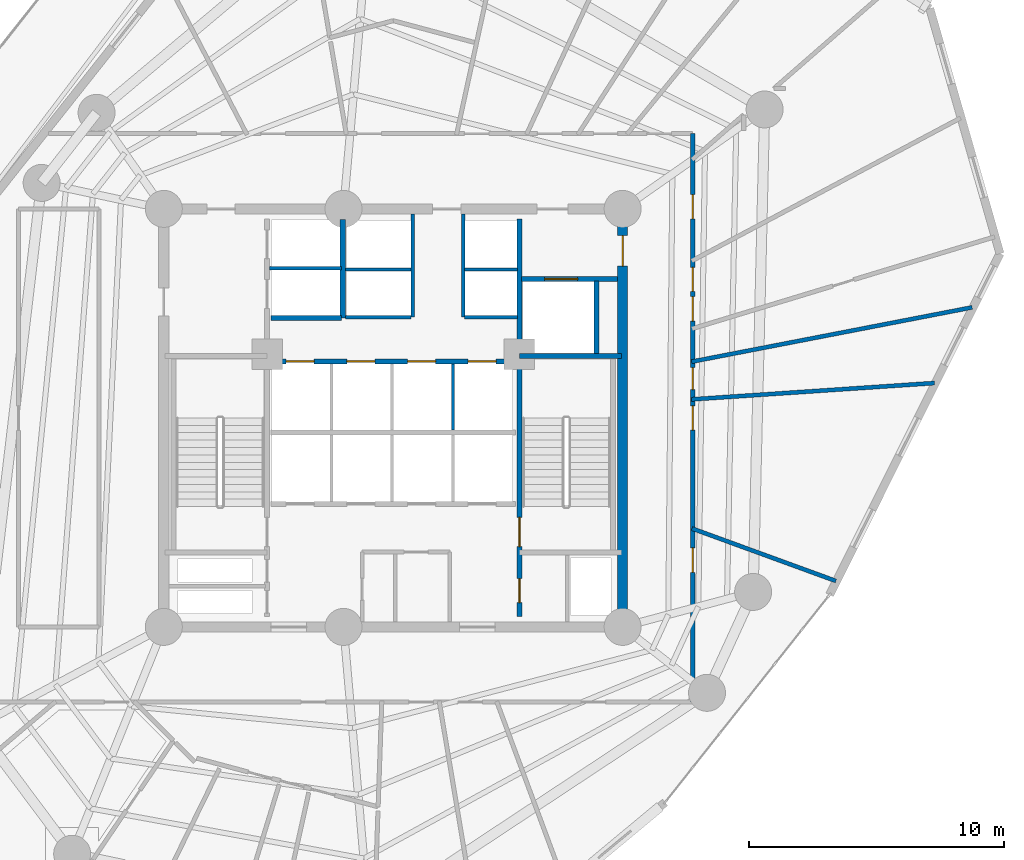
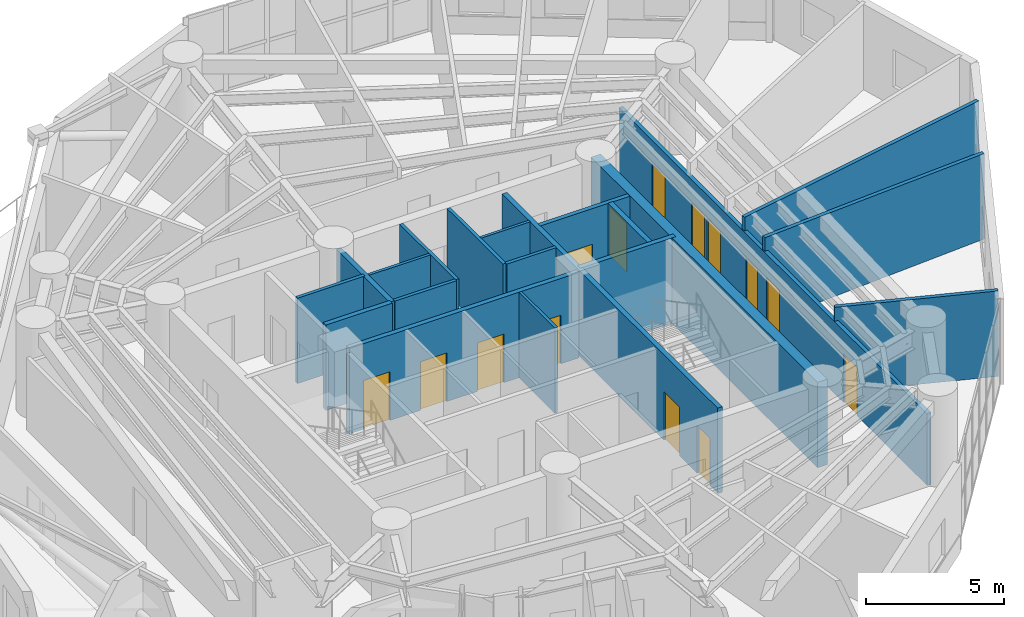
# One storey, part 9 of 14: 20 walls, 14 doors, 14 openings.
"""IFC4 building model written with IfcOpenShell, lengths in metres."""

from ifc_helpers import new_model, si_unit, direction, frame, frame_2d, origin, origin_with_axes, place, context, subcontext, project, spatial, rectangle, extrude, source, transform, mapped, material, layer, layer_set, type_object, element, fill, save


model = new_model("IFC4")

# Units and contexts
model_context = context("Model", 3, precision=1e-05, world=origin(), true_north=direction((0.0, 1.0)))
body_context = subcontext(model_context, "Body", "Model", "MODEL_VIEW")
ifc_project = project(units=[si_unit("LENGTHUNIT", "METRE"), si_unit("AREAUNIT", "SQUARE_METRE"), si_unit("VOLUMEUNIT", "CUBIC_METRE"), si_unit("PLANEANGLEUNIT", "RADIAN"), si_unit("MASSUNIT", "GRAM", prefix="KILO")], contexts=[model_context])

# Site, building, storey
site_placement = place(None, origin())
site = spatial("IfcSite", under=ifc_project, at=site_placement, CompositionType="ELEMENT")
building_placement = place(site_placement, origin())
building = spatial("IfcBuilding", under=site, at=building_placement, Name="Karkom Vertical University and Central Library", CompositionType="ELEMENT")
storey_placement = place(building_placement, frame((0.0, 0.0, 92.199951171875)))
storey = spatial("IfcBuildingStorey", under=building, at=storey_placement, Name="L24", CompositionType="ELEMENT", Elevation=92.199951171875)

# Wall, openings, doors
ifc_material_1 = material(Name="Insulated metal-stud drywall 160mm", Category="gypsum")
ifc_layer_1 = layer(ifc_material_1, 0.159912109375)
ifc_layer_set_1 = layer_set([ifc_layer_1], Name="Insulated metal-stud drywall 160mm")
wall_type_1 = type_object("IfcWallType", Name="INT-WL-COR-160", PredefinedType="PARTITIONING", material=ifc_layer_set_1)
wall_1_placement = place(storey_placement, frame((40.25, 37.64990234375, 0.0), z_axis=(0.0, 0.0, 1.0), x_axis=(0.0, -1.0, 0.0)))
wall_1 = element("IfcWall", 1, at=wall_1_placement, inside=storey, type_object=wall_type_1, Name="Level 24 Interior Partition Wall L24-CORW-CW-004", PredefinedType="PARTITIONING", context=body_context, shape_type="SweptSolid", body=[
    extrude(rectangle(XDim=22.2998046875, YDim=0.159912109375, at=frame_2d((11.14990234375, 0.0))), origin(), (0.0, 0.0, 1.0), 3.175048828125),
])
opening_1_placement = place(wall_1_placement, frame((16.25, 0.0, 0.0)))
opening_1 = element("IfcOpeningElement", 2, at=opening_1_placement, cuts=wall_1, Name="Opening FD-RM2", PredefinedType="OPENING", context=body_context, shape_type="SweptSolid", body=[
    extrude(rectangle(XDim=0.9599609375, YDim=2.14990234375, at=frame_2d((0.47998046875, 1.074951171875))), frame((0.0, 0.08984375, 0.0), z_axis=(0.0, -1.0, 0.0), x_axis=(1.0, 0.0, 0.0)), (0.0, 0.0, 1.0), 0.179931640625),
])
opening_2_placement = place(wall_1_placement, frame((10.675048828125, 0.0, 0.0)))
opening_2 = element("IfcOpeningElement", 3, at=opening_2_placement, cuts=wall_1, Name="Opening D-RM1", PredefinedType="OPENING", context=body_context, shape_type="SweptSolid", body=[
    extrude(rectangle(XDim=0.949951171875, YDim=2.14990234375, at=frame_2d((0.47509765625, 1.074951171875))), frame((0.0, 0.08984375, 0.0), z_axis=(0.0, -1.0, 0.0), x_axis=(1.0, 0.0, 0.0)), (0.0, 0.0, 1.0), 0.179931640625),
])
opening_3_placement = place(wall_1_placement, frame((9.177978515625, 0.0, 0.0)))
opening_3 = element("IfcOpeningElement", 4, at=opening_3_placement, cuts=wall_1, Name="Opening FD-BTH1", PredefinedType="OPENING", context=body_context, shape_type="SweptSolid", body=[
    extrude(rectangle(XDim=0.860107421875, YDim=2.10009765625, at=frame_2d((0.43017578125, 1.050048828125))), frame((0.0, 0.08984375, 0.0), z_axis=(0.0, -1.0, 0.0), x_axis=(1.0, 0.0, 0.0)), (0.0, 0.0, 1.0), 0.179931640625),
])
opening_4_placement = place(wall_1_placement, frame((6.389892578125, 0.0, 0.0)))
opening_4 = element("IfcOpeningElement", 5, at=opening_4_placement, cuts=wall_1, Name="Opening FD-RM2", PredefinedType="OPENING", context=body_context, shape_type="SweptSolid", body=[
    extrude(rectangle(XDim=0.9599609375, YDim=2.14990234375, at=frame_2d((0.47998046875, 1.074951171875))), frame((0.0, 0.08984375, 0.0), z_axis=(0.0, -1.0, 0.0), x_axis=(1.0, 0.0, 0.0)), (0.0, 0.0, 1.0), 0.179931640625),
])
opening_5_placement = place(wall_1_placement, frame((5.239990234375, 0.0, 0.0)))
opening_5 = element("IfcOpeningElement", 6, at=opening_5_placement, cuts=wall_1, Name="Opening D-RM1", PredefinedType="OPENING", context=body_context, shape_type="SweptSolid", body=[
    extrude(rectangle(XDim=0.949951171875, YDim=2.14990234375, at=frame_2d((0.47509765625, 1.074951171875))), frame((0.0, 0.08984375, 0.0), z_axis=(0.0, -1.0, 0.0), x_axis=(1.0, 0.0, 0.0)), (0.0, 0.0, 1.0), 0.179931640625),
])
opening_6_placement = place(wall_1_placement, frame((2.385986328125, 0.0, 0.0)))
opening_6 = element("IfcOpeningElement", 7, at=opening_6_placement, cuts=wall_1, Name="Opening FD-RM2", PredefinedType="OPENING", context=body_context, shape_type="SweptSolid", body=[
    extrude(rectangle(XDim=0.9599609375, YDim=2.14990234375, at=frame_2d((0.47998046875, 1.074951171875))), frame((0.0, 0.08984375, 0.0), z_axis=(0.0, -1.0, 0.0), x_axis=(1.0, 0.0, 0.0)), (0.0, 0.0, 1.0), 0.179931640625),
])
ifc_material_2 = material(Name="Fire-rated oak veneer door", Category="wood")
door_type_1 = type_object("IfcDoorType", Name="INT-DR-FRM2", OperationType="NOTDEFINED", PredefinedType="DOOR", material=ifc_material_2)
shared_shape_1 = source(origin_with_axes(), body_context, "Body", "SweptSolid", [
    extrude(rectangle(XDim=0.9599609375, YDim=2.14990234375, at=frame_2d((0.47998046875, 1.074951171875))), frame((0.0, 0.02490234375, 0.0), z_axis=(0.0, -1.0, 0.0), x_axis=(1.0, 0.0, 0.0)), (0.0, 0.0, 1.0), 0.050048828125),
])
door_1_placement = place(opening_1_placement, origin())
door_1 = element("IfcDoor", 8, at=door_1_placement, inside=storey, type_object=door_type_1, Name="Level 24 Room Entry Door 110", OperationType="SINGLE_SWING_RIGHT", OverallHeight=2.14990234375, OverallWidth=0.9599609375, PredefinedType="DOOR", context=body_context, shape_type="MappedRepresentation", body=[
    mapped(shared_shape_1, transform((0.0, 0.0, 0.0), scale=1.0)),
])
fill(opening_1, door_1)
door_2_placement = place(opening_4_placement, origin())
door_2 = element("IfcDoor", 9, at=door_2_placement, inside=storey, type_object=door_type_1, Name="Level 24 Room Entry Door 140", OperationType="SINGLE_SWING_LEFT", OverallHeight=2.14990234375, OverallWidth=0.9599609375, PredefinedType="DOOR", context=body_context, shape_type="MappedRepresentation", body=[
    mapped(shared_shape_1, transform((0.0, 0.0, 0.0), scale=1.0)),
])
fill(opening_4, door_2)
door_3_placement = place(opening_6_placement, origin())
door_3 = element("IfcDoor", 10, at=door_3_placement, inside=storey, type_object=door_type_1, Name="Level 24 Room Entry Door 160", OperationType="SINGLE_SWING_LEFT", OverallHeight=2.14990234375, OverallWidth=0.9599609375, PredefinedType="DOOR", context=body_context, shape_type="MappedRepresentation", body=[
    mapped(shared_shape_1, transform((0.0, 0.0, 0.0), scale=1.0)),
])
fill(opening_6, door_3)
ifc_material_3 = material(Name="Fire-rated moisture-resistant oak door", Category="wood")
door_type_2 = type_object("IfcDoorType", Name="INT-DR-FBTH1", OperationType="NOTDEFINED", PredefinedType="DOOR", material=ifc_material_3)
shared_shape_2 = source(origin_with_axes(), body_context, "Body", "SweptSolid", [
    extrude(rectangle(XDim=0.860107421875, YDim=2.10009765625, at=frame_2d((0.43017578125, 1.050048828125))), frame((0.0, 0.02490234375, 0.0), z_axis=(0.0, -1.0, 0.0), x_axis=(1.0, 0.0, 0.0)), (0.0, 0.0, 1.0), 0.050048828125),
])
door_4_placement = place(opening_3_placement, origin())
door_4 = element("IfcDoor", 11, at=door_4_placement, inside=storey, type_object=door_type_2, Name="Level 24 Room Entry Door 130", OperationType="SINGLE_SWING_RIGHT", OverallHeight=2.10009765625, OverallWidth=0.860107421875, PredefinedType="DOOR", context=body_context, shape_type="MappedRepresentation", body=[
    mapped(shared_shape_2, transform((0.0, 0.0, 0.0), scale=1.0)),
])
fill(opening_3, door_4)
ifc_material_4 = material(Name="Solid-core oak veneer door", Category="wood")
door_type_3 = type_object("IfcDoorType", Name="INT-DR-RM1", OperationType="NOTDEFINED", PredefinedType="DOOR", material=ifc_material_4)
shared_shape_3 = source(origin_with_axes(), body_context, "Body", "SweptSolid", [
    extrude(rectangle(XDim=0.949951171875, YDim=2.14990234375, at=frame_2d((0.47509765625, 1.074951171875))), frame((0.0, 0.02490234375, 0.0), z_axis=(0.0, -1.0, 0.0), x_axis=(1.0, 0.0, 0.0)), (0.0, 0.0, 1.0), 0.050048828125),
])
door_5_placement = place(opening_2_placement, origin())
door_5 = element("IfcDoor", 12, at=door_5_placement, inside=storey, type_object=door_type_3, Name="Level 24 Room Entry Door 120", OperationType="SINGLE_SWING_LEFT", OverallHeight=2.14990234375, OverallWidth=0.949951171875, PredefinedType="DOOR", context=body_context, shape_type="MappedRepresentation", body=[
    mapped(shared_shape_3, transform((0.0, 0.0, 0.0), scale=1.0)),
])
fill(opening_2, door_5)
door_6_placement = place(opening_5_placement, origin())
door_6 = element("IfcDoor", 13, at=door_6_placement, inside=storey, type_object=door_type_3, Name="Level 24 Room Entry Door 150", OperationType="SINGLE_SWING_RIGHT", OverallHeight=2.14990234375, OverallWidth=0.949951171875, PredefinedType="DOOR", context=body_context, shape_type="MappedRepresentation", body=[
    mapped(shared_shape_3, transform((0.0, 0.0, 0.0), scale=1.0)),
])
fill(opening_5, door_6)

# Walls
wall_2_placement = place(storey_placement, frame((40.205810546875, 28.704833984375, 0.0), z_axis=(0.0, 0.0, 1.0), x_axis=(0.981773296225, 0.190055767656, 0.0)))
element("IfcWall", 14, at=wall_2_placement, inside=storey, type_object=wall_type_1, Name="Level 24 Interior Partition Wall L24-PW-020", PredefinedType="PARTITIONING", context=body_context, shape_type="SweptSolid", body=[
    extrude(rectangle(XDim=11.209228515625, YDim=0.159912109375, at=frame_2d((5.6044921875, 0.0))), origin(), (0.0, 0.0, 1.0), 3.775146484375),
])
wall_3_placement = place(storey_placement, frame((40.205078125, 27.226318359375, 0.0), z_axis=(0.0, 0.0, 1.0), x_axis=(0.997749269017, 0.067055172631, 0.0)))
element("IfcWall", 15, at=wall_3_placement, inside=storey, type_object=wall_type_1, Name="Level 24 Interior Partition Wall L24-PW-019", PredefinedType="PARTITIONING", context=body_context, shape_type="SweptSolid", body=[
    extrude(rectangle(XDim=9.550048828125, YDim=0.159912109375, at=frame_2d((4.77490234375, 0.0))), origin(), (0.0, 0.0, 1.0), 3.775146484375),
])
wall_4_placement = place(storey_placement, frame((40.2216796875, 22.160888671875, 0.0), z_axis=(0.0, 0.0, 1.0), x_axis=(0.939458453366, -0.342662829031, 0.0)))
element("IfcWall", 16, at=wall_4_placement, inside=storey, type_object=wall_type_1, Name="Level 24 Interior Partition Wall L24-PW-018", PredefinedType="PARTITIONING", context=body_context, shape_type="SweptSolid", body=[
    extrude(rectangle(XDim=6.009033203125, YDim=0.159912109375, at=frame_2d((3.00439453125, 0.0))), origin(), (0.0, 0.0, 1.0), 3.775146484375),
])
ifc_material_5 = material(Name="Moisture-resistant drywall 120mm", Category="gypsum")
ifc_layer_2 = layer(ifc_material_5, 0.1201171875)
ifc_layer_set_2 = layer_set([ifc_layer_2], Name="Moisture-resistant drywall 120mm")
wall_type_2 = type_object("IfcWallType", Name="INT-WL-INT-120H", PredefinedType="PARTITIONING", material=ifc_layer_set_2)
wall_5_placement = place(storey_placement, frame((30.840087890625, 26.02001953125, 0.0), z_axis=(0.0, 0.0, 1.0), x_axis=(0.0, 1.0, 0.0)))
element("IfcWall", 17, at=wall_5_placement, inside=storey, type_object=wall_type_2, Name="Level 24 Interior Partition Wall L24-CW-PM-DIV3", PredefinedType="PARTITIONING", context=body_context, shape_type="SweptSolid", body=[
    extrude(rectangle(XDim=2.60009765625, YDim=0.1201171875, at=frame_2d((1.300048828125, 0.0))), origin(), (0.0, 0.0, 1.0), 3.775146484375),
])
wall_6_placement = place(storey_placement, frame((26.6201171875, 32.320068359375, 0.0), z_axis=(0.0, 0.0, 1.0), x_axis=(1.0, 0.0, 0.0)))
element("IfcWall", 18, at=wall_6_placement, inside=storey, type_object=wall_type_2, Name="Level 24 Interior Partition Wall L24-CW-PH-MW", PredefinedType="PARTITIONING", context=body_context, shape_type="SweptSolid", body=[
    extrude(rectangle(XDim=2.579833984375, YDim=0.1201171875, at=frame_2d((1.2900390625, 0.0))), origin(), (0.0, 0.0, 1.0), 3.775146484375),
])
wall_7_placement = place(storey_placement, frame((31.300048828125, 32.320068359375, 0.0), z_axis=(0.0, 0.0, 1.0), x_axis=(1.0, 0.0, 0.0)))
element("IfcWall", 19, at=wall_7_placement, inside=storey, type_object=wall_type_2, Name="Level 24 Interior Partition Wall L24-CW-PH-ME", PredefinedType="PARTITIONING", context=body_context, shape_type="SweptSolid", body=[
    extrude(rectangle(XDim=2.074951171875, YDim=0.1201171875, at=frame_2d((1.03759765625, 0.0))), origin(), (0.0, 0.0, 1.0), 3.775146484375),
])
ifc_material_6 = material(Name="Metal-stud gypsum partition 140mm", Category="gypsum")
ifc_layer_3 = layer(ifc_material_6, 0.139892578125)
ifc_layer_set_3 = layer_set([ifc_layer_3], Name="Metal-stud gypsum partition 140mm")
wall_type_3 = type_object("IfcWallType", Name="INT-WL-SUB-140H", PredefinedType="PARTITIONING", material=ifc_layer_set_3)
for number, where, z_axis, x_axis, name in (
    (20, (29.260009765625, 30.449951171875, 0.0), (0.0, 0.0, 1.0), (0.0, 1.0, 0.0), "Level 24 Interior Partition Wall L24-CW-PH-W"),
    (21, (31.239990234375, 30.449951171875, 0.0), (0.0, 0.0, 1.0), (0.0, 1.0, 0.0), "Level 24 Interior Partition Wall L24-CW-PH-E"),
):
    element("IfcWall", number, at=place(storey_placement, frame(where, z_axis=z_axis, x_axis=x_axis)), inside=storey, type_object=wall_type_3, Name=name, PredefinedType="PARTITIONING", context=body_context, shape_type="SweptSolid", body=[
        extrude(rectangle(XDim=4.04296875, YDim=0.139892578125, at=frame_2d((2.021484375, 0.0))), origin(), (0.0, 0.0, 1.0), 3.775146484375),
    ])
wall_8_placement = place(storey_placement, frame((26.6201171875, 30.449951171875, 0.0), z_axis=(0.0, 0.0, 1.0), x_axis=(1.0, 0.0, 0.0)))
element("IfcWall", 22, at=wall_8_placement, inside=storey, type_object=wall_type_3, Name="Level 24 Interior Partition Wall L24-CW-PH-S1", PredefinedType="PARTITIONING", context=body_context, shape_type="SweptSolid", body=[
    extrude(rectangle(XDim=2.579833984375, YDim=0.139892578125, at=frame_2d((1.2900390625, 0.0))), origin(), (0.0, 0.0, 1.0), 3.775146484375),
])
wall_9_placement = place(storey_placement, frame((31.300048828125, 30.449951171875, 0.0), z_axis=(0.0, 0.0, 1.0), x_axis=(1.0, 0.0, 0.0)))
element("IfcWall", 23, at=wall_9_placement, inside=storey, type_object=wall_type_3, Name="Level 24 Interior Partition Wall L24-CW-PH-S2", PredefinedType="PARTITIONING", context=body_context, shape_type="SweptSolid", body=[
    extrude(rectangle(XDim=2.074951171875, YDim=0.139892578125, at=frame_2d((1.03759765625, 0.0))), origin(), (0.0, 0.0, 1.0), 3.775146484375),
])
ifc_layer_4 = layer(ifc_material_6, 0.139892578125)
ifc_layer_set_4 = layer_set([ifc_layer_4], Name="Metal-stud gypsum partition 140mm")
wall_type_4 = type_object("IfcWallType", Name="INT-WL-SUB-140X", PredefinedType="PARTITIONING", material=ifc_layer_set_4)
wall_10_placement = place(storey_placement, frame((23.652099609375, 32.3701171875, 0.0), z_axis=(0.0, 0.0, 1.0), x_axis=(1.0, 0.0, 0.0)))
element("IfcWall", 24, at=wall_10_placement, inside=storey, type_object=wall_type_4, Name="Level 24 Interior Partition Wall L24-CW-FFL-M", PredefinedType="PARTITIONING", context=body_context, shape_type="SweptSolid", body=[
    extrude(rectangle(XDim=2.827880859375, YDim=0.139892578125, at=frame_2d((1.4140625, 0.0))), origin(), (0.0, 0.0, 1.0), 3.775146484375),
])

# Wall, opening, door
ifc_material_7 = material(Name="Twin-stud acoustic drywall 180mm", Category="gypsum")
ifc_layer_5 = layer(ifc_material_7, 0.179931640625)
ifc_layer_set_5 = layer_set([ifc_layer_5], Name="Twin-stud acoustic drywall 180mm")
wall_type_5 = type_object("IfcWallType", Name="INT-WL-TEN-180F", PredefinedType="PARTITIONING", material=ifc_layer_set_5)
wall_11_placement = place(storey_placement, frame((33.534912109375, 31.949951171875, 0.0), z_axis=(0.0, 0.0, 1.0), x_axis=(1.0, 0.0, 0.0)))
wall_11 = element("IfcWall", 25, at=wall_11_placement, inside=storey, type_object=wall_type_5, Name="Level 24 Interior Partition Wall L24-CW-SVL-N", PredefinedType="PARTITIONING", context=body_context, shape_type="SweptSolid", body=[
    extrude(rectangle(XDim=3.7587890625, YDim=0.179931640625, at=frame_2d((1.87939453125, 0.0))), origin(), (0.0, 0.0, 1.0), 3.775146484375),
])
opening_7_placement = place(wall_11_placement, frame((0.89990234375, 0.0, 0.0)))
opening_7 = element("IfcOpeningElement", 26, at=opening_7_placement, cuts=wall_11, Name="Opening LD-SV1", PredefinedType="OPENING", context=body_context, shape_type="SweptSolid", body=[
    extrude(rectangle(XDim=1.300048828125, YDim=2.199951171875, at=frame_2d((0.64990234375, 1.10009765625))), frame((0.0, 0.10009765625, 0.0), z_axis=(0.0, -1.0, 0.0), x_axis=(1.0, 0.0, 0.0)), (0.0, 0.0, 1.0), 0.199951171875),
])
ifc_material_8 = material(Name="Brushed stainless-steel landing door", Category="steel")
door_type_4 = type_object("IfcDoorType", Name="INT-DR-LD-SV1", OperationType="SLIDING_TO_LEFT", PredefinedType="DOOR", material=ifc_material_8)
shared_shape_4 = source(origin_with_axes(), body_context, "Body", "SweptSolid", [
    extrude(rectangle(XDim=1.300048828125, YDim=2.199951171875, at=frame_2d((0.64990234375, 1.10009765625))), frame((0.0, 0.02490234375, 0.0), z_axis=(0.0, -1.0, 0.0), x_axis=(1.0, 0.0, 0.0)), (0.0, 0.0, 1.0), 0.050048828125),
])
door_7_placement = place(opening_7_placement, origin())
door_7 = element("IfcDoor", 27, at=door_7_placement, inside=storey, type_object=door_type_4, Name="Level 24 Service Lift Landing Door LD-SV1", OperationType="SLIDING_TO_LEFT", OverallHeight=2.199951171875, OverallWidth=1.300048828125, PredefinedType="DOOR", context=body_context, shape_type="MappedRepresentation", body=[
    mapped(shared_shape_4, transform((0.0, 0.0, 0.0), scale=1.0)),
])
fill(opening_7, door_7)

ifc_material_9 = material(Name="Concrete C50/60", Category="concrete")
ifc_layer_6 = layer(ifc_material_9, 0.39990234375)
ifc_layer_set_6 = layer_set([ifc_layer_6], Name="Concrete C50/60")
wall_type_6 = type_object("IfcWallType", Name="STR-WL-CW-400", PredefinedType="SHEAR", material=ifc_layer_set_6)
wall_12_placement = place(storey_placement, frame((37.5, 18.300048828125, 0.0), z_axis=(0.0, 0.0, 1.0), x_axis=(0.0, 1.0, 0.0)))
wall_12 = element("IfcWall", 28, at=wall_12_placement, inside=storey, type_object=wall_type_6, Name="Level 24 Central Core Shear Wall EW", PredefinedType="SHEAR", context=body_context, shape_type="SweptSolid", body=[
    extrude(rectangle(XDim=16.39990234375, YDim=0.39990234375, at=frame_2d((8.199951171875, 0.0))), origin(), (0.0, 0.0, 1.0), 3.775146484375),
])
opening_8_placement = place(wall_12_placement, frame((14.14990234375, 0.0, 0.0)))
opening_8 = element("IfcOpeningElement", 29, at=opening_8_placement, cuts=wall_12, Name="Opening FD-SUB1", PredefinedType="OPENING", context=body_context, shape_type="SweptSolid", body=[
    extrude(rectangle(XDim=1.199951171875, YDim=2.14990234375, at=frame_2d((0.60009765625, 1.074951171875))), frame((0.0, 0.2099609375, 0.0), z_axis=(0.0, -1.0, 0.0), x_axis=(1.0, 0.0, 0.0)), (0.0, 0.0, 1.0), 0.419921875),
])
ifc_material_10 = material(Name="Painted steel fire door", Category="steel")
door_type_5 = type_object("IfcDoorType", Name="INT-DR-SUB1", OperationType="NOTDEFINED", PredefinedType="DOOR", material=ifc_material_10)
shared_shape_5 = source(origin_with_axes(), body_context, "Body", "SweptSolid", [
    extrude(rectangle(XDim=1.199951171875, YDim=2.14990234375, at=frame_2d((0.60009765625, 1.074951171875))), frame((0.0, 0.02490234375, 0.0), z_axis=(0.0, -1.0, 0.0), x_axis=(1.0, 0.0, 0.0)), (0.0, 0.0, 1.0), 0.050048828125),
])
door_8_placement = place(opening_8_placement, origin())
door_8 = element("IfcDoor", 30, at=door_8_placement, inside=storey, type_object=door_type_5, Name="Level 24 East Corridor Service Lobby Door", OperationType="SINGLE_SWING_LEFT", OverallHeight=2.14990234375, OverallWidth=1.199951171875, PredefinedType="DOOR", context=body_context, shape_type="MappedRepresentation", body=[
    mapped(shared_shape_5, transform((0.0, 0.0, 0.0), scale=1.0)),
])
fill(opening_8, door_8)

# Wall, openings, doors
ifc_material_11 = material(Name="Concrete C45/55", Category="concrete")
ifc_layer_7 = layer(ifc_material_11, 0.199951171875)
ifc_layer_set_7 = layer_set([ifc_layer_7], Name="Concrete C45/55")
wall_type_7 = type_object("IfcWallType", Name="STR-WL-ST-200", PredefinedType="SHEAR", material=ifc_layer_set_7)
wall_13_placement = place(storey_placement, frame((33.455078125, 18.699951171875, 0.0), z_axis=(0.0, 0.0, 1.0), x_axis=(0.0, 1.0, 0.0)))
wall_13 = element("IfcWall", 31, at=wall_13_placement, inside=storey, type_object=wall_type_7, Name="Level 24 Core Shaft Wall L24-CW-ST2-W", PredefinedType="SHEAR", context=body_context, shape_type="SweptSolid", body=[
    extrude(rectangle(XDim=15.60009765625, YDim=0.199951171875, at=frame_2d((7.800048828125, 0.0))), origin(), (0.0, 0.0, 1.0), 3.775146484375),
])
opening_9_placement = place(wall_13_placement, frame((2.75, 0.0, 0.0)))
opening_9 = element("IfcOpeningElement", 32, at=opening_9_placement, cuts=wall_13, Name="Opening FD-ST1", PredefinedType="OPENING", context=body_context, shape_type="SweptSolid", body=[
    extrude(rectangle(XDim=1.14990234375, YDim=2.14990234375, at=frame_2d((0.574951171875, 1.074951171875))), frame((0.0, 0.10986328125, 0.0), z_axis=(0.0, -1.0, 0.0), x_axis=(1.0, 0.0, 0.0)), (0.0, 0.0, 1.0), 0.219970703125),
])
opening_10_placement = place(wall_13_placement, frame((0.550048828125, 0.0, 0.0)))
opening_10 = element("IfcOpeningElement", 33, at=opening_10_placement, cuts=wall_13, Name="Opening D-WC1", PredefinedType="OPENING", context=body_context, shape_type="SweptSolid", body=[
    extrude(rectangle(XDim=0.93994140625, YDim=2.10009765625, at=frame_2d((0.469970703125, 1.050048828125))), frame((0.0, 0.10986328125, 0.0), z_axis=(0.0, -1.0, 0.0), x_axis=(1.0, 0.0, 0.0)), (0.0, 0.0, 1.0), 0.219970703125),
])
ifc_material_12 = material(Name="Painted steel acoustic fire door", Category="steel")
door_type_6 = type_object("IfcDoorType", Name="INT-DR-ST1", OperationType="NOTDEFINED", PredefinedType="DOOR", material=ifc_material_12)
shared_shape_6 = source(origin_with_axes(), body_context, "Body", "SweptSolid", [
    extrude(rectangle(XDim=1.14990234375, YDim=2.14990234375, at=frame_2d((0.574951171875, 1.074951171875))), frame((0.0, 0.02490234375, 0.0), z_axis=(0.0, -1.0, 0.0), x_axis=(1.0, 0.0, 0.0)), (0.0, 0.0, 1.0), 0.050048828125),
])
door_9_placement = place(opening_9_placement, origin())
door_9 = element("IfcDoor", 34, at=door_9_placement, inside=storey, type_object=door_type_6, Name="Level 24 Stair ST-2 Fire Door", OperationType="SINGLE_SWING_RIGHT", OverallHeight=2.14990234375, OverallWidth=1.14990234375, PredefinedType="DOOR", context=body_context, shape_type="MappedRepresentation", body=[
    mapped(shared_shape_6, transform((0.0, 0.0, 0.0), scale=1.0)),
])
fill(opening_9, door_9)
ifc_material_13 = material(Name="Fire-rated laminate moisture-resistant door", Category="wood")
door_type_7 = type_object("IfcDoorType", Name="INT-DR-WC1", OperationType="NOTDEFINED", PredefinedType="DOOR", material=ifc_material_13)
shared_shape_7 = source(origin_with_axes(), body_context, "Body", "SweptSolid", [
    extrude(rectangle(XDim=0.93994140625, YDim=2.10009765625, at=frame_2d((0.469970703125, 1.050048828125))), frame((0.0, 0.02490234375, 0.0), z_axis=(0.0, -1.0, 0.0), x_axis=(1.0, 0.0, 0.0)), (0.0, 0.0, 1.0), 0.050048828125),
])
door_10_placement = place(opening_10_placement, origin())
door_10 = element("IfcDoor", 35, at=door_10_placement, inside=storey, type_object=door_type_7, Name="Level 24 Accessible WC Door", OperationType="SINGLE_SWING_LEFT", OverallHeight=2.10009765625, OverallWidth=0.93994140625, PredefinedType="DOOR", context=body_context, shape_type="MappedRepresentation", body=[
    mapped(shared_shape_7, transform((0.0, 0.0, 0.0), scale=1.0)),
])
fill(opening_10, door_10)

wall_14_placement = place(storey_placement, frame((23.699951171875, 28.719970703125, 0.0), z_axis=(0.0, 0.0, 1.0), x_axis=(1.0, 0.0, 0.0)))
wall_14 = element("IfcWall", 36, at=wall_14_placement, inside=storey, type_object=wall_type_7, Name="Level 24 Core Shaft Wall L24-CW-B2-N", PredefinedType="SHEAR", context=body_context, shape_type="SweptSolid", body=[
    extrude(rectangle(XDim=9.60009765625, YDim=0.199951171875, at=frame_2d((4.800048828125, 0.0))), origin(), (0.0, 0.0, 1.0), 3.775146484375),
])
opening_11_placement = place(wall_14_placement, frame((0.60009765625, 0.0, 0.0)))
opening_11 = element("IfcOpeningElement", 37, at=opening_11_placement, cuts=wall_14, Name="Opening LD-PAX", PredefinedType="OPENING", context=body_context, shape_type="SweptSolid", body=[
    extrude(rectangle(XDim=1.10009765625, YDim=2.14990234375, at=frame_2d((0.550048828125, 1.074951171875))), frame((0.0, 0.10986328125, 0.0), z_axis=(0.0, -1.0, 0.0), x_axis=(1.0, 0.0, 0.0)), (0.0, 0.0, 1.0), 0.219970703125),
])
opening_12_placement = place(wall_14_placement, frame((2.97998046875, 0.0, 0.0)))
opening_12 = element("IfcOpeningElement", 38, at=opening_12_placement, cuts=wall_14, Name="Opening LD-PAX", PredefinedType="OPENING", context=body_context, shape_type="SweptSolid", body=[
    extrude(rectangle(XDim=1.10009765625, YDim=2.14990234375, at=frame_2d((0.550048828125, 1.074951171875))), frame((0.0, 0.10986328125, 0.0), z_axis=(0.0, -1.0, 0.0), x_axis=(1.0, 0.0, 0.0)), (0.0, 0.0, 1.0), 0.219970703125),
])
opening_13_placement = place(wall_14_placement, frame((5.360107421875, 0.0, 0.0)))
opening_13 = element("IfcOpeningElement", 39, at=opening_13_placement, cuts=wall_14, Name="Opening LD-PAX", PredefinedType="OPENING", context=body_context, shape_type="SweptSolid", body=[
    extrude(rectangle(XDim=1.10009765625, YDim=2.14990234375, at=frame_2d((0.550048828125, 1.074951171875))), frame((0.0, 0.10986328125, 0.0), z_axis=(0.0, -1.0, 0.0), x_axis=(1.0, 0.0, 0.0)), (0.0, 0.0, 1.0), 0.219970703125),
])
opening_14_placement = place(wall_14_placement, frame((7.739990234375, 0.0, 0.0)))
opening_14 = element("IfcOpeningElement", 40, at=opening_14_placement, cuts=wall_14, Name="Opening LD-PAX", PredefinedType="OPENING", context=body_context, shape_type="SweptSolid", body=[
    extrude(rectangle(XDim=1.10009765625, YDim=2.14990234375, at=frame_2d((0.550048828125, 1.074951171875))), frame((0.0, 0.10986328125, 0.0), z_axis=(0.0, -1.0, 0.0), x_axis=(1.0, 0.0, 0.0)), (0.0, 0.0, 1.0), 0.219970703125),
])
door_type_8 = type_object("IfcDoorType", Name="INT-DR-LD-PAX", OperationType="SLIDING_TO_LEFT", PredefinedType="DOOR", material=ifc_material_8)
shared_shape_8 = source(origin_with_axes(), body_context, "Body", "SweptSolid", [
    extrude(rectangle(XDim=1.10009765625, YDim=2.14990234375, at=frame_2d((0.550048828125, 1.074951171875))), frame((0.0, 0.02490234375, 0.0), z_axis=(0.0, -1.0, 0.0), x_axis=(1.0, 0.0, 0.0)), (0.0, 0.0, 1.0), 0.050048828125),
])
door_11_placement = place(opening_11_placement, origin())
door_11 = element("IfcDoor", 41, at=door_11_placement, inside=storey, type_object=door_type_8, Name="Level 24 Lift PM-1 Landing Door", OperationType="SLIDING_TO_LEFT", OverallHeight=2.14990234375, OverallWidth=1.10009765625, PredefinedType="DOOR", context=body_context, shape_type="MappedRepresentation", body=[
    mapped(shared_shape_8, transform((0.0, 0.0, 0.0), scale=1.0)),
])
fill(opening_11, door_11)
door_12_placement = place(opening_12_placement, origin())
door_12 = element("IfcDoor", 42, at=door_12_placement, inside=storey, type_object=door_type_8, Name="Level 24 Lift PM-2 Landing Door", OperationType="SLIDING_TO_RIGHT", OverallHeight=2.14990234375, OverallWidth=1.10009765625, PredefinedType="DOOR", context=body_context, shape_type="MappedRepresentation", body=[
    mapped(shared_shape_8, transform((0.0, 0.0, 0.0), scale=1.0)),
])
fill(opening_12, door_12)
door_13_placement = place(opening_13_placement, origin())
door_13 = element("IfcDoor", 43, at=door_13_placement, inside=storey, type_object=door_type_8, Name="Level 24 Lift PM-3 Landing Door", OperationType="SLIDING_TO_LEFT", OverallHeight=2.14990234375, OverallWidth=1.10009765625, PredefinedType="DOOR", context=body_context, shape_type="MappedRepresentation", body=[
    mapped(shared_shape_8, transform((0.0, 0.0, 0.0), scale=1.0)),
])
fill(opening_13, door_13)
door_14_placement = place(opening_14_placement, origin())
door_14 = element("IfcDoor", 44, at=door_14_placement, inside=storey, type_object=door_type_8, Name="Level 24 Lift PM-4 Landing Door", OperationType="SLIDING_TO_RIGHT", OverallHeight=2.14990234375, OverallWidth=1.10009765625, PredefinedType="DOOR", context=body_context, shape_type="MappedRepresentation", body=[
    mapped(shared_shape_8, transform((0.0, 0.0, 0.0), scale=1.0)),
])
fill(opening_14, door_14)

# Walls
wall_15_placement = place(storey_placement, frame((33.455078125, 28.925048828125, 0.0), z_axis=(0.0, 0.0, 1.0), x_axis=(1.0, 0.0, 0.0)))
element("IfcWall", 45, at=wall_15_placement, inside=storey, type_object=wall_type_7, Name="Level 24 Core Shaft Wall L24-CW-ST2-N", PredefinedType="SHEAR", context=body_context, shape_type="SweptSolid", body=[
    extrude(rectangle(XDim=3.994873046875, YDim=0.199951171875, at=frame_2d((1.99755859375, 0.0))), origin(), (0.0, 0.0, 1.0), 3.775146484375),
])
wall_16_placement = place(storey_placement, frame((26.52001953125, 30.419921875, 0.0), z_axis=(0.0, 0.0, 1.0), x_axis=(0.0, 1.0, 0.0)))
element("IfcWall", 46, at=wall_16_placement, inside=storey, type_object=wall_type_7, Name="Level 24 Core Shaft Wall L24-CW-FFL-E", PredefinedType="SHEAR", context=body_context, shape_type="SweptSolid", body=[
    extrude(rectangle(XDim=3.860107421875, YDim=0.199951171875, at=frame_2d((1.93017578125, 0.0))), origin(), (0.0, 0.0, 1.0), 3.775146484375),
])
wall_17_placement = place(storey_placement, frame((36.47998046875, 29.02001953125, 0.0), z_axis=(0.0, 0.0, 1.0), x_axis=(0.0, 1.0, 0.0)))
element("IfcWall", 47, at=wall_17_placement, inside=storey, type_object=wall_type_7, Name="Level 24 Core Shaft Wall L24-CW-SVL-E", PredefinedType="SHEAR", context=body_context, shape_type="SweptSolid", body=[
    extrude(rectangle(XDim=2.85986328125, YDim=0.199951171875, at=frame_2d((1.429931640625, 0.0))), origin(), (0.0, 0.0, 1.0), 3.775146484375),
])
wall_18_placement = place(storey_placement, frame((23.699951171875, 30.419921875, 0.0), z_axis=(0.0, 0.0, 1.0), x_axis=(1.0, 0.0, 0.0)))
element("IfcWall", 48, at=wall_18_placement, inside=storey, type_object=wall_type_7, Name="Level 24 Core Shaft Wall L24-CW-FFL-S", PredefinedType="SHEAR", context=body_context, shape_type="SweptSolid", body=[
    extrude(rectangle(XDim=2.780029296875, YDim=0.199951171875, at=frame_2d((1.39013671875, 0.0))), origin(), (0.0, 0.0, 1.0), 3.775146484375),
])

save(model, "model.ifc")
